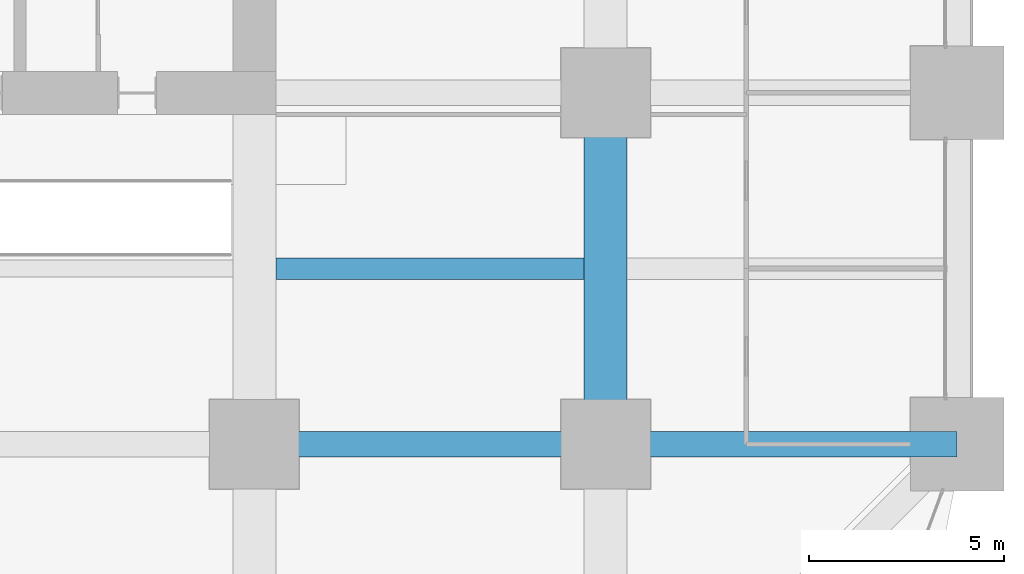
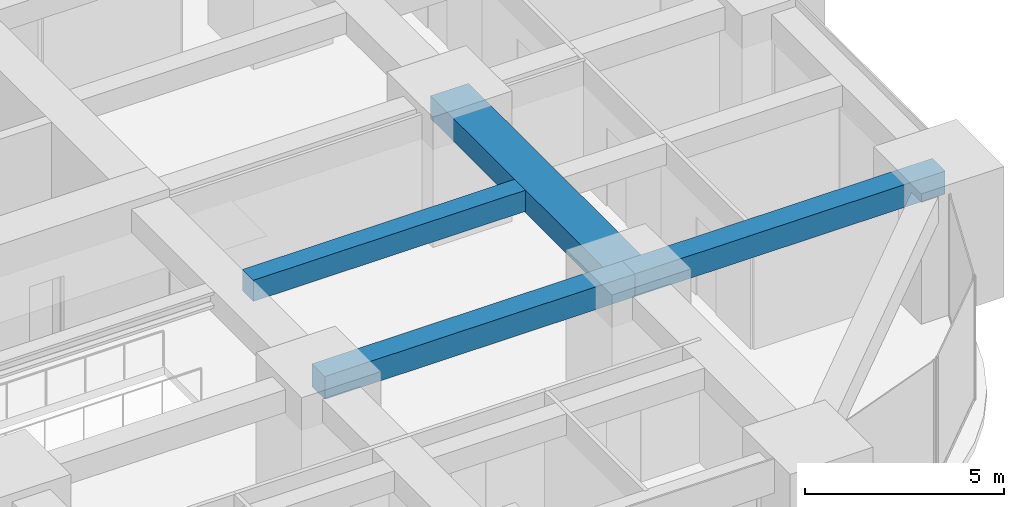
# One storey, part 17 of 45: 4 beams.
"""IFC4 building model written with IfcOpenShell, lengths in metres."""

from ifc_helpers import new_model, si_unit, direction, frame, origin, origin_2d, place, context, subcontext, project, spatial, rectangle, extrude, material, material_profile, profile_set, type_object, element, save


model = new_model("IFC4")

# Units and contexts
model_context = context("Model", 3, precision=1e-05, world=origin(), true_north=direction((0.0, 1.0)))
body_context = subcontext(model_context, "Body", "Model", "MODEL_VIEW")
ifc_project = project(units=[si_unit("LENGTHUNIT", "METRE"), si_unit("AREAUNIT", "SQUARE_METRE"), si_unit("VOLUMEUNIT", "CUBIC_METRE"), si_unit("PLANEANGLEUNIT", "RADIAN"), si_unit("MASSUNIT", "GRAM", prefix="KILO")], contexts=[model_context])

# Site, building, storey
site_placement = place(None, origin())
site = spatial("IfcSite", under=ifc_project, at=site_placement, CompositionType="ELEMENT")
building_placement = place(site_placement, origin())
building = spatial("IfcBuilding", under=site, at=building_placement, Name="Zorevar Civic Tower", CompositionType="ELEMENT")
storey_placement = place(building_placement, frame((0.0, 0.0, 27.800048828125)))
storey = spatial("IfcBuildingStorey", under=building, at=storey_placement, Name="L06", CompositionType="ELEMENT", Elevation=27.800048828125)

# Beams
ifc_material_1 = material(Name="Concrete C50/60", Category="concrete")
ifc_material_profile_1 = material_profile(ifc_material_1, rectangle(XDim=1.10009765625, YDim=0.699951171875, at=origin_2d()), Name="RC 1100x700")
ifc_profile_set_1 = profile_set([ifc_material_profile_1], Name="Concrete C50/60")
beam_type_1 = type_object("IfcBeamType", Name="Beam RC 1100x700", PredefinedType="BEAM", material=ifc_profile_set_1)
beam_1_placement = place(storey_placement, frame((54.0, 9.0, 3.39990234375), z_axis=(0.0, 1.0, 0.0), x_axis=(-1.0, 0.0, 0.0)))
element("IfcBeam", 1, at=beam_1_placement, inside=storey, type_object=beam_type_1, Name="Girder L07", PredefinedType="BEAM", context=body_context, shape_type="SweptSolid", body=[
    extrude(rectangle(XDim=1.10009765625, YDim=0.699951171875, at=origin_2d()), origin(), (0.0, 0.0, 1.0), 9.0),
])
ifc_material_2 = material(Name="Concrete C50/60", Category="concrete")
ifc_material_profile_2 = material_profile(ifc_material_2, rectangle(XDim=0.550048828125, YDim=0.64990234375, at=origin_2d()), Name="RC 550x650")
ifc_profile_set_2 = profile_set([ifc_material_profile_2], Name="Concrete C50/60")
beam_type_2 = type_object("IfcBeamType", Name="Beam RC 550x650", PredefinedType="BEAM", material=ifc_profile_set_2)
beam_2_placement = place(storey_placement, frame((45.550048828125, 13.5, 3.425048828125), z_axis=(1.0, 0.0, 0.0), x_axis=(0.0, 1.0, 0.0)))
element("IfcBeam", 2, at=beam_2_placement, inside=storey, type_object=beam_type_2, Name="Secondary beam L07", PredefinedType="BEAM", context=body_context, shape_type="SweptSolid", body=[
    extrude(rectangle(XDim=0.550048828125, YDim=0.64990234375, at=origin_2d()), origin(), (0.0, 0.0, 1.0), 7.89990234375),
])
ifc_material_3 = material(Name="Concrete C50/60", Category="concrete")
ifc_material_profile_3 = material_profile(ifc_material_3, rectangle(XDim=0.64990234375, YDim=0.699951171875, at=origin_2d()), Name="RC 650x700")
ifc_profile_set_3 = profile_set([ifc_material_profile_3], Name="Concrete C50/60")
beam_type_3 = type_object("IfcBeamType", Name="Beam RC 650x700", PredefinedType="BEAM", material=ifc_profile_set_3)
for number, where, z_axis, x_axis, name in (
    (3, (45.0, 9.0, 3.39990234375), (1.0, 0.0, 0.0), (0.0, 1.0, 0.0), "Girder L07"),
    (4, (54.0, 9.0, 3.39990234375), (1.0, 0.0, 0.0), (0.0, 1.0, 0.0), "Girder L07"),
):
    element("IfcBeam", number, at=place(storey_placement, frame(where, z_axis=z_axis, x_axis=x_axis)), inside=storey, type_object=beam_type_3, Name=name, PredefinedType="BEAM", context=body_context, shape_type="SweptSolid", body=[
        extrude(rectangle(XDim=0.64990234375, YDim=0.699951171875, at=origin_2d()), origin(), (0.0, 0.0, 1.0), 9.0),
    ])

save(model, "model.ifc")
